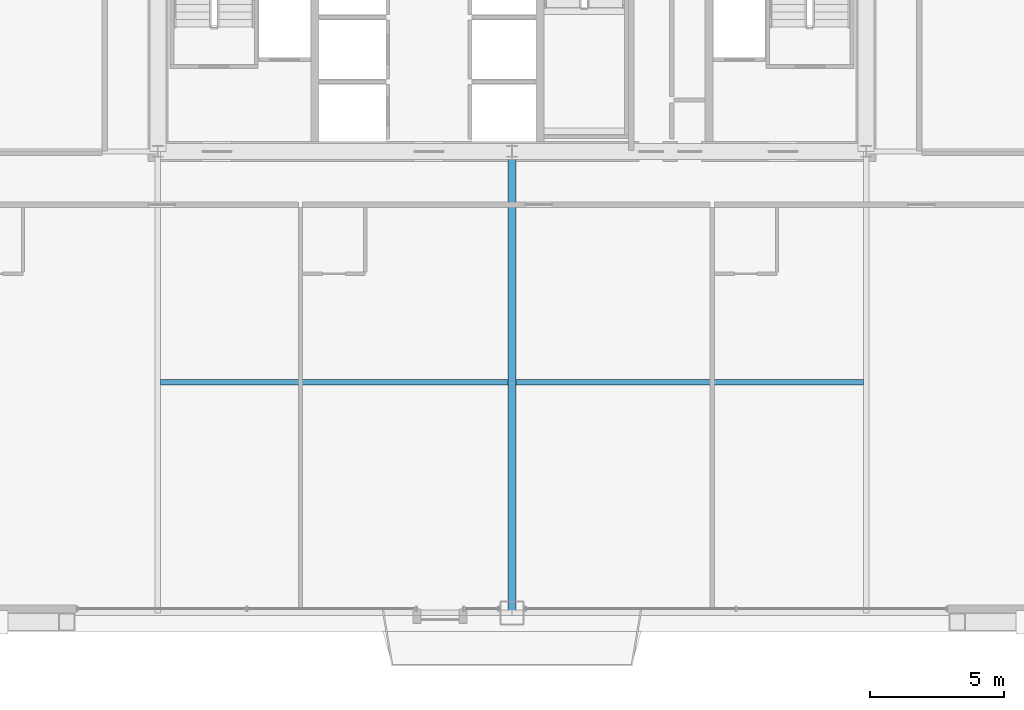
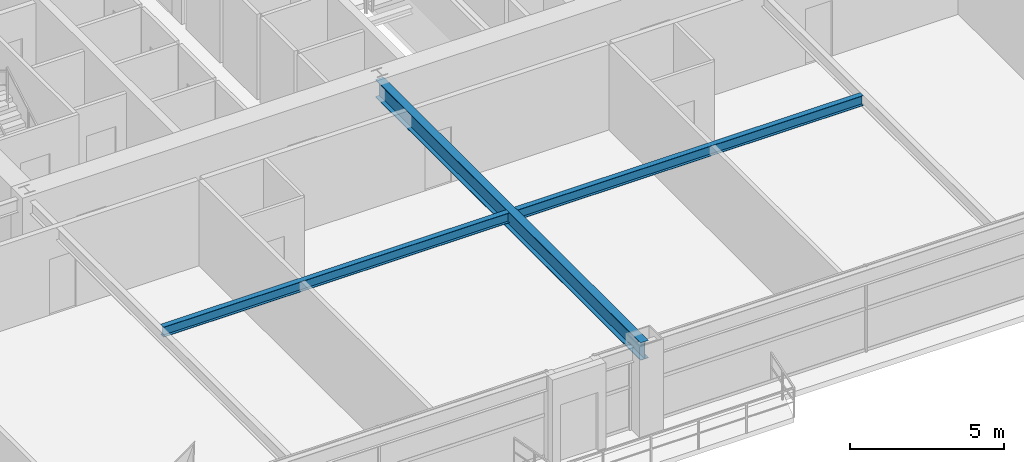
# One storey, part 9 of 43: 3 beams.
"""IFC4 building model written with IfcOpenShell, lengths in metres."""

from ifc_helpers import new_model, si_unit, direction, frame, origin, origin_2d, place, context, subcontext, project, spatial, i_section, extrude, source, transform, mapped, material, material_profile, profile_set, type_object, element, save


model = new_model("IFC4")

# Units and contexts
model_context = context("Model", 3, precision=1e-05, world=origin(), true_north=direction((0.0, 1.0)))
body_context = subcontext(model_context, "Body", "Model", "MODEL_VIEW")
ifc_project = project(units=[si_unit("LENGTHUNIT", "METRE"), si_unit("AREAUNIT", "SQUARE_METRE"), si_unit("VOLUMEUNIT", "CUBIC_METRE"), si_unit("PLANEANGLEUNIT", "RADIAN"), si_unit("MASSUNIT", "GRAM", prefix="KILO"), si_unit("THERMODYNAMICTEMPERATUREUNIT", "KELVIN"), si_unit("POWERUNIT", "WATT")], contexts=[model_context])

# Site, building, storey
site_placement = place(None, origin())
site = spatial("IfcSite", under=ifc_project, at=site_placement, CompositionType="ELEMENT")
building_placement = place(site_placement, origin())
building = spatial("IfcBuilding", under=site, at=building_placement, Name="Yuzanri Waterfront Tower", CompositionType="ELEMENT")
storey_placement = place(building_placement, frame((0.0, 0.0, 101.0)))
storey = spatial("IfcBuildingStorey", under=building, at=storey_placement, Name="L26", CompositionType="ELEMENT", Elevation=101.0)

# Beams
ifc_material_1 = material(Name="Steel Q355B", Category="steel")
ifc_material_profile_1 = material_profile(ifc_material_1, i_section(OverallWidth=0.199951171875, OverallDepth=0.39990234375, WebThickness=0.008056640625, FlangeThickness=0.012939453125, at=origin_2d()), Name="HN 400x200x8x13")
ifc_profile_set_1 = profile_set([ifc_material_profile_1], Name="Steel Q355B")
beam_type_1 = type_object("IfcBeamType", Name="Floor Joist Q355B HN 400x200", PredefinedType="JOIST", material=ifc_profile_set_1)
shared_shape_1 = source(origin(), body_context, "Body", "SweptSolid", [
    extrude(i_section(OverallWidth=0.199951171875, OverallDepth=0.39990234375, WebThickness=0.008056640625, FlangeThickness=0.012939453125, at=origin_2d()), origin(), (0.0, 0.0, 1.0), 12.9501953125),
])
for number, where, z_axis, x_axis, name in (
    (1, (23.89990234375, 10.800048828125, 3.179931640625), (1.0, 0.0, 0.0), (0.0, 1.0, 0.0), "L26 South Bay Joist W"),
    (2, (37.14990234375, 10.800048828125, 3.179931640625), (1.0, 0.0, 0.0), (0.0, 1.0, 0.0), "L26 South Bay Joist E"),
):
    element("IfcBeam", number, at=place(storey_placement, frame(where, z_axis=z_axis, x_axis=x_axis)), inside=storey, type_object=beam_type_1, Name=name, PredefinedType="JOIST", context=body_context, shape_type="MappedRepresentation", body=[
        mapped(shared_shape_1, transform((0.0, 0.0, 0.0), scale=1.0)),
    ])
ifc_material_2 = material(Name="Steel Q355B", Category="steel")
ifc_material_profile_2 = material_profile(ifc_material_2, i_section(OverallWidth=0.300048828125, OverallDepth=0.699951171875, WebThickness=0.012939453125, FlangeThickness=0.02392578125, at=origin_2d()), Name="HN 700x300x13x24")
ifc_profile_set_2 = profile_set([ifc_material_profile_2], Name="Steel Q355B")
beam_type_2 = type_object("IfcBeamType", Name="Primary Floor Girder Q355B HN 700x300", PredefinedType="BEAM", material=ifc_profile_set_2)
shared_shape_2 = source(origin(), body_context, "Body", "SweptSolid", [
    extrude(i_section(OverallWidth=0.300048828125, OverallDepth=0.699951171875, WebThickness=0.012939453125, FlangeThickness=0.02392578125, at=origin_2d()), origin(), (0.0, 0.0, 1.0), 17.199951171875),
])
beam_placement = place(storey_placement, frame((37.0, 19.39990234375, 3.030029296875), z_axis=(0.0, -1.0, 0.0), x_axis=(1.0, 0.0, 0.0)))
element("IfcBeam", 3, at=beam_placement, inside=storey, type_object=beam_type_2, Name="L26 South Grid Girder", PredefinedType="BEAM", context=body_context, shape_type="MappedRepresentation", body=[
    mapped(shared_shape_2, transform((0.0, 0.0, 0.0), scale=1.0)),
])

save(model, "model.ifc")
